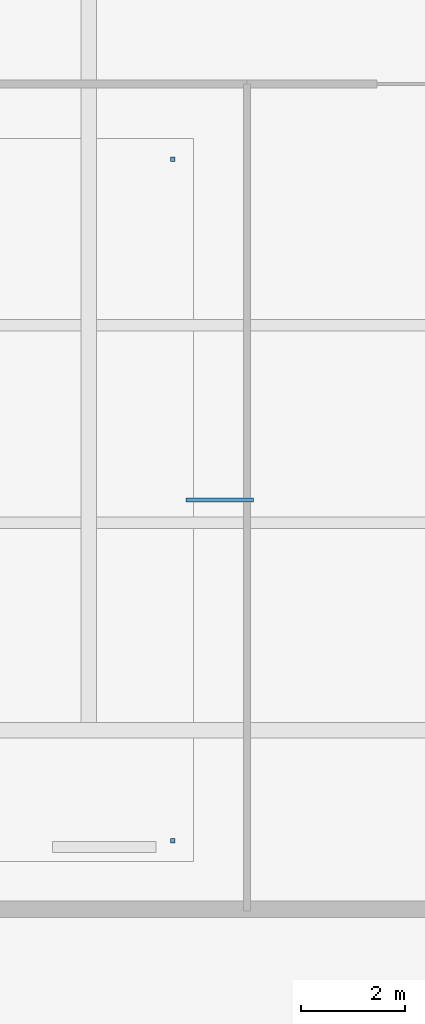
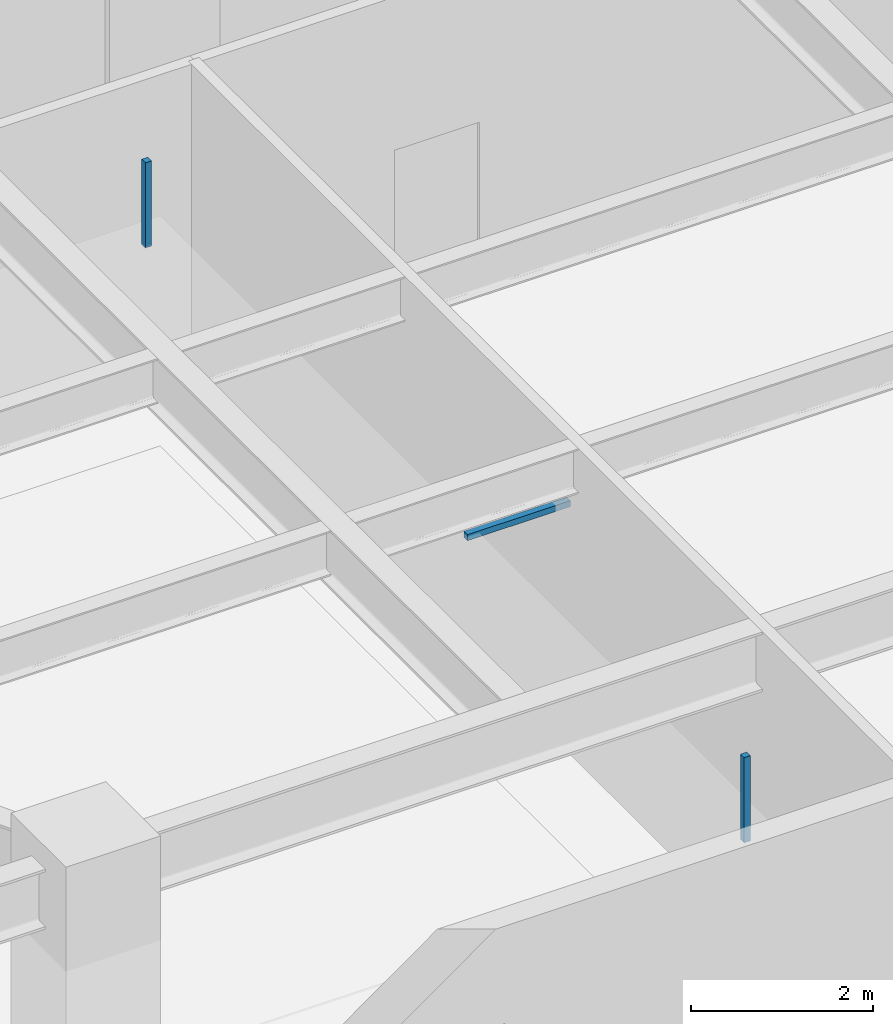
# One storey, part 16 of 22: 3 discrete accessories.
"""IFC4 building model written with IfcOpenShell, lengths in metres."""

from ifc_helpers import new_model, si_unit, direction, frame, origin, origin_2d, place, context, subcontext, project, spatial, rectangle, extrude, material, type_object, element, save


model = new_model("IFC4")

# Units and contexts
model_context = context("Model", 3, precision=1e-05, world=origin(), true_north=direction((0.0, 1.0)))
body_context = subcontext(model_context, "Body", "Model", "MODEL_VIEW")
ifc_project = project(units=[si_unit("LENGTHUNIT", "METRE"), si_unit("AREAUNIT", "SQUARE_METRE"), si_unit("VOLUMEUNIT", "CUBIC_METRE"), si_unit("PLANEANGLEUNIT", "RADIAN"), si_unit("MASSUNIT", "GRAM", prefix="KILO")], contexts=[model_context])

# Site, building, storey
site_placement = place(None, origin())
site = spatial("IfcSite", under=ifc_project, at=site_placement, CompositionType="ELEMENT")
building_placement = place(site_placement, origin())
building = spatial("IfcBuilding", under=site, at=building_placement, Name="Tarnavaz Court Tower", CompositionType="ELEMENT")
storey_placement = place(building_placement, frame((0.0, 0.0, 14.39990234375)))
storey = spatial("IfcBuildingStorey", under=building, at=storey_placement, Name="L03", CompositionType="ELEMENT", Elevation=14.39990234375)

# Discrete accessories
ifc_material = material(Name="Anodised Aluminium 6063-T6", Category="aluminium")
discrete_accessory_type = type_object("IfcDiscreteAccessoryType", Name="DA-BRKT-ALU", PredefinedType="BRACKET", material=ifc_material)
for number, where, z_axis, x_axis, name in (
    (1, (7.1201171875, -24.929931640625, 3.09033203125), (0.0, 0.0, 1.0), (1.0, 0.0, 0.0), "L03 Ceiling Suspension Hanger Bracket 04-2"),
    (2, (7.1201171875, -11.800048828125, 3.09033203125), (0.0, 0.0, 1.0), (1.0, 0.0, 0.0), "L03 Ceiling Suspension Hanger Bracket 04-3"),
):
    element("IfcDiscreteAccessory", number, at=place(storey_placement, frame(where, z_axis=z_axis, x_axis=x_axis)), inside=storey, type_object=discrete_accessory_type, Name=name, PredefinedType="BRACKET", context=body_context, shape_type="SweptSolid", body=[
        extrude(rectangle(XDim=0.080078125, YDim=0.080078125, at=origin_2d()), origin(), (0.0, 0.0, 1.0), 1.139892578125),
    ])
discrete_accessory_placement = place(storey_placement, frame((8.02001953125, -18.364990234375, 3.052490234375), z_axis=(0.0, 0.0, 1.0), x_axis=(1.0, 0.0, 0.0)))
element("IfcDiscreteAccessory", 3, at=discrete_accessory_placement, inside=storey, type_object=discrete_accessory_type, Name="L03 Ceiling Perimeter Wall-Tie Bracket 04-2", PredefinedType="BRACKET", context=body_context, shape_type="SweptSolid", body=[
    extrude(rectangle(XDim=1.300048828125, YDim=0.080078125, at=origin_2d()), origin(), (0.0, 0.0, 1.0), 0.080078125),
])

save(model, "model.ifc")
